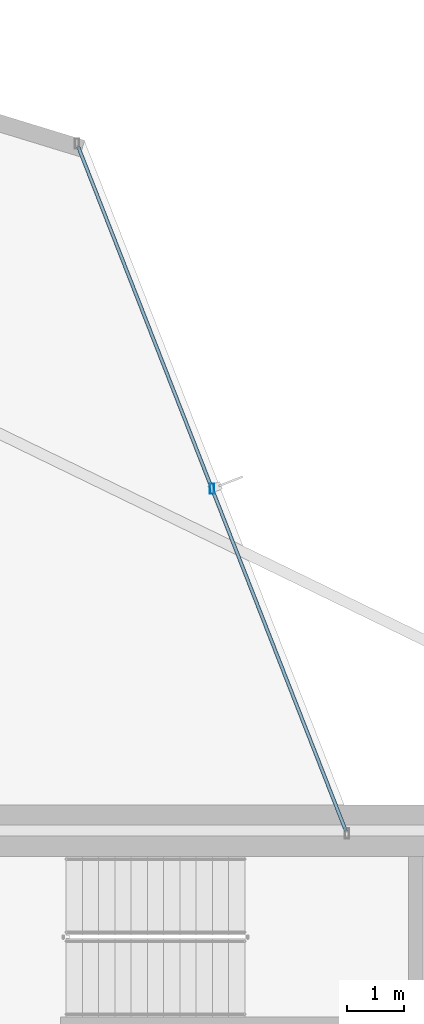
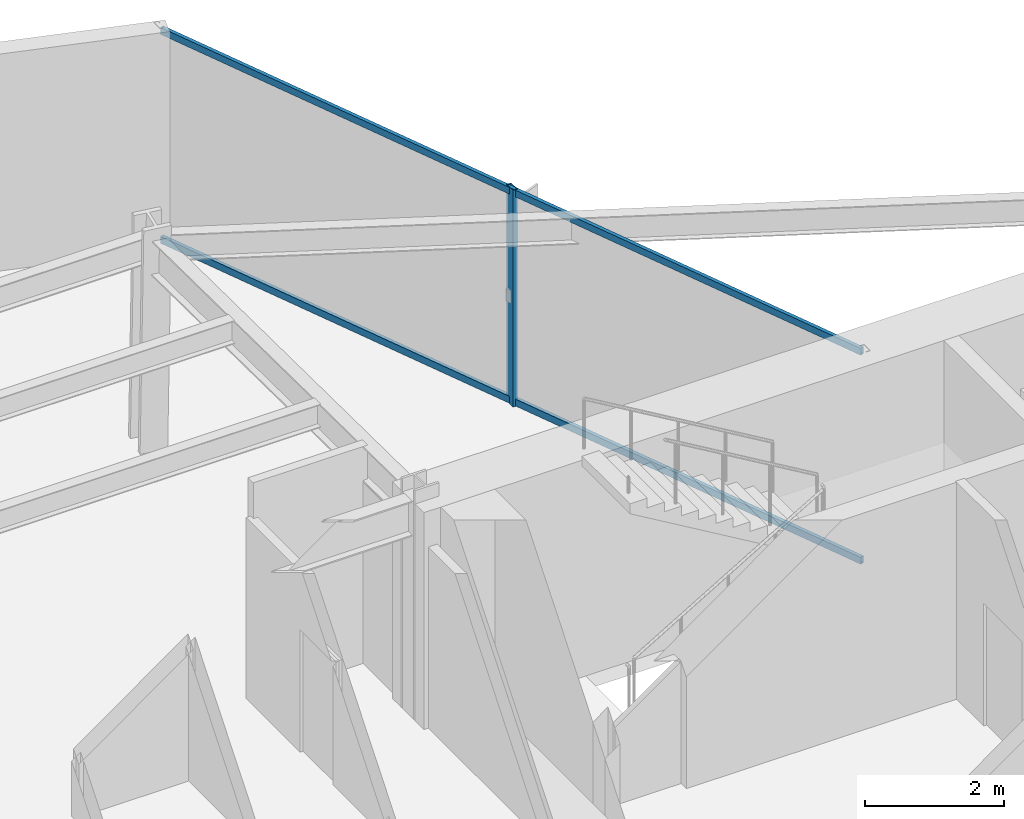
# One storey, part 20 of 29: 3 members, 1 element without a shape of its own.
"""IFC4 building model written with IfcOpenShell, lengths in metres."""

import ifcopenshell
import ifcopenshell.guid

model = None  # the IFC model being written
_history = None  # IfcOwnerHistory: only IFC2X3 demands one
_inside = {}  # id of a spatial element -> (the spatial element, [elements in it])
_under = {}  # id of a project, library or spatial element -> (it, [spatial elements below it])
_declared = {}  # id of a project -> (the project, [libraries it declares])
_typed = {}  # id of a type object -> (the type object, [elements of that type])
_made_of = {}  # id of a material, layer set ... -> (it, [elements and type objects made of it])


def new_model(schema):
    """Start an empty IFC model of exactly this schema.

    Asked for "IFC4X3", IfcOpenShell would pick the latest addendum, in which some entities
    have other attributes; the version numbers below select the first issue.
    IFC2X3 requires an IfcOwnerHistory on every rooted entity: one is made here for all.
    """
    global model, _history
    if schema == "IFC4X3":
        model = ifcopenshell.file(schema_version=(4, 3, 0, 0))
    else:
        model = ifcopenshell.file(schema=schema)
    _inside.clear()
    _under.clear()
    _declared.clear()
    _typed.clear()
    _made_of.clear()
    _history = None
    if model.schema == "IFC2X3":
        org = make("IfcOrganization", Name="unknown")
        user = make(
            "IfcPersonAndOrganization",
            ThePerson=make("IfcPerson", FamilyName="unknown"),
            TheOrganization=org,
        )
        app = make(
            "IfcApplication",
            ApplicationDeveloper=org,
            Version="unknown",
            ApplicationFullName="unknown",
            ApplicationIdentifier="unknown",
        )
        _history = make(
            "IfcOwnerHistory",
            OwningUser=user,
            OwningApplication=app,
            ChangeAction="ADDED",
            CreationDate=0,
        )
    return model


def make(cls, **values):
    """One entity of the class cls with the attributes given. An attribute that is None is left unset."""
    return model.create_entity(
        cls, **{name: value for name, value in values.items() if value is not None}
    )


def rooted(cls, **values):
    """An entity with a GlobalId (a new one), such as an element, a storey or a relation."""
    return make(cls, GlobalId=ifcopenshell.guid.new(), OwnerHistory=_history, **values)


def si_unit(unit_type, name, prefix=None):
    """IfcSIUnit, for example si_unit("LENGTHUNIT", "METRE", prefix="MILLI")."""
    return make("IfcSIUnit", UnitType=unit_type, Prefix=prefix, Name=name)


def assignment(units):
    """IfcUnitAssignment: the units of a project."""
    return None if units is None else make("IfcUnitAssignment", Units=units)


def point(xyz):
    """IfcCartesianPoint."""
    return None if xyz is None else make("IfcCartesianPoint", Coordinates=xyz)


def direction(xyz):
    """IfcDirection."""
    return None if xyz is None else make("IfcDirection", DirectionRatios=xyz)


def frame(location, z_axis=None, x_axis=None):
    """IfcAxis2Placement3D, a coordinate frame: its origin and axes. An axis left out is left unset."""
    return make(
        "IfcAxis2Placement3D",
        Location=point(location),
        Axis=direction(z_axis),
        RefDirection=direction(x_axis),
    )


def frame_2d(location, x_axis=None):
    """IfcAxis2Placement2D, a coordinate frame in the plane: its origin and x axis."""
    return make(
        "IfcAxis2Placement2D", Location=point(location), RefDirection=direction(x_axis)
    )


def origin():
    """The frame at (0, 0, 0) with its axes left unset."""
    return frame((0.0, 0.0, 0.0))


def origin_2d():
    """The frame at (0, 0) in the plane with its x axis left unset."""
    return frame_2d((0.0, 0.0))


def place(relative_to, where):
    """IfcLocalPlacement: puts the frame where relative to a parent placement (None: the world)."""
    return make(
        "IfcLocalPlacement", PlacementRelTo=relative_to, RelativePlacement=where
    )


def context(
    kind, dimensions, precision=None, world=None, true_north=None, identifier=None
):
    """IfcGeometricRepresentationContext, for example the 3D "Model" context."""
    return make(
        "IfcGeometricRepresentationContext",
        ContextIdentifier=identifier,
        ContextType=kind,
        CoordinateSpaceDimension=dimensions,
        Precision=precision,
        WorldCoordinateSystem=world,
        TrueNorth=true_north,
    )


def subcontext(parent, identifier, kind, view, scale=None):
    """IfcGeometricRepresentationSubContext, for example "Body" below "Model"."""
    return make(
        "IfcGeometricRepresentationSubContext",
        ContextIdentifier=identifier,
        ContextType=kind,
        ParentContext=parent,
        TargetScale=scale,
        TargetView=view,
    )


def project(units=None, contexts=None):
    """IfcProject with its units and contexts."""
    return rooted(
        "IfcProject",
        Name="project",
        RepresentationContexts=contexts,
        UnitsInContext=assignment(units),
    )


def spatial(cls, under=None, at=None, **own):
    """A site, building, storey or space (cls), placed at a placement, below another one or the project."""
    s = rooted(cls, ObjectPlacement=at, **own)
    if under is not None:
        _under.setdefault(under.id(), (under, []))[1].append(s)
    return s


def profile(cls, at=None, kind="AREA", **sizes):
    """A parametric profile (cls). Its sizes go by their IFC names, for example OverallWidth=200.0."""
    return make(cls, ProfileType=kind, Position=at, **sizes)


def hollow_rectangle(**sizes):
    """IfcRectangleHollowProfileDef."""
    return profile("IfcRectangleHollowProfileDef", **sizes)


def extrude(swept, where, along, depth):
    """IfcExtrudedAreaSolid: the profile swept, set in the frame where, extruded along a direction by depth."""
    return make(
        "IfcExtrudedAreaSolid",
        SweptArea=swept,
        Position=where,
        ExtrudedDirection=direction(along),
        Depth=depth,
    )


def shape(context_of_items, identifier, shape_type, items):
    """IfcShapeRepresentation: the items that make up one representation, for example the "Body"."""
    return make(
        "IfcShapeRepresentation",
        ContextOfItems=context_of_items,
        RepresentationIdentifier=identifier,
        RepresentationType=shape_type,
        Items=items,
    )


def material(Name=None, Category=None):
    """IfcMaterial."""
    return make("IfcMaterial", Name=Name, Category=Category)


def layer(
    of_material, thickness, ventilated=None, Name=None, Category=None, Priority=None
):
    """IfcMaterialLayer: one layer of a wall or slab, of a material (None: an air gap)."""
    return make(
        "IfcMaterialLayer",
        Material=of_material,
        LayerThickness=thickness,
        IsVentilated=ventilated,
        Name=Name,
        Category=Category,
        Priority=Priority,
    )


def layer_set(layers, Name=None):
    """IfcMaterialLayerSet."""
    return make("IfcMaterialLayerSet", MaterialLayers=layers, LayerSetName=Name)


def material_profile(
    of_material, cross_section, Name=None, Category=None, Priority=None
):
    """IfcMaterialProfile: a cross section and its material."""
    return make(
        "IfcMaterialProfile",
        Name=Name,
        Material=of_material,
        Profile=cross_section,
        Priority=Priority,
        Category=Category,
    )


def profile_set(profiles, Name=None, composite=None):
    """IfcMaterialProfileSet."""
    return make(
        "IfcMaterialProfileSet",
        Name=Name,
        MaterialProfiles=profiles,
        CompositeProfile=composite,
    )


def made_of(thing, what):
    """Note that an element or type object is made of a material, layer set ...; save() writes the relation."""
    if what is not None:
        _made_of.setdefault(what.id(), (what, []))[1].append(thing)
    return thing


def type_object(cls, material=None, **own):
    """A type object (cls), such as IfcWallType, which elements share."""
    return made_of(rooted(cls, **own), material)


def element(
    cls,
    number,
    at=None,
    inside=None,
    cuts=None,
    type_object=None,
    material=None,
    context=None,
    identifier="Body",
    shape_type=None,
    held_by="IfcProductDefinitionShape",
    body=None,
    shapes=None,
    **own,
):
    """One element of the class cls, such as IfcWall. Its Tag is "e" and its number.

    at: its placement. inside: the storey or other place that contains it. cuts: it is an
    opening in that element (IfcRelVoidsElement). A single representation is given by context,
    identifier, shape_type and body (its items); several are given by shapes. held_by: the class
    of the entity that holds the representations. save() writes the other relations.
    """
    e = rooted(cls, Tag="e%d" % number, ObjectPlacement=at, **own)
    if body is not None:
        shapes = [shape(context, identifier, shape_type, body)]
    if shapes is not None:
        e.Representation = make(held_by, Representations=shapes)
    if inside is not None:
        _inside.setdefault(inside.id(), (inside, []))[1].append(e)
    if cuts is not None:
        rooted(
            "IfcRelVoidsElement", RelatingBuildingElement=cuts, RelatedOpeningElement=e
        )
    if type_object is not None:
        _typed.setdefault(type_object.id(), (type_object, []))[1].append(e)
    return made_of(e, material)


def aggregate(whole, parts):
    """IfcRelAggregates: a whole, such as a stair, and the parts it consists of."""
    return rooted("IfcRelAggregates", RelatingObject=whole, RelatedObjects=parts)


def save(model, path):
    """Write the relations noted so far, then the file.

    IfcRelAggregates (storeys below a building ...), IfcRelContainedInSpatialStructure (elements
    in a storey), IfcRelDefinesByType, IfcRelAssociatesMaterial and IfcRelDeclares: one each for
    every whole, place, type object, material and project.
    """
    for whole, parts in _under.values():
        aggregate(whole, parts)
    for where, things in _inside.values():
        rooted(
            "IfcRelContainedInSpatialStructure",
            RelatedElements=things,
            RelatingStructure=where,
        )
    for kind, things in _typed.values():
        rooted("IfcRelDefinesByType", RelatedObjects=things, RelatingType=kind)
    for what, things in _made_of.values():
        rooted("IfcRelAssociatesMaterial", RelatedObjects=things, RelatingMaterial=what)
    for by, libraries in _declared.values():
        rooted("IfcRelDeclares", RelatingContext=by, RelatedDefinitions=libraries)
    model.write(path)


model = new_model("IFC4")

# Units and contexts
model_context = context("Model", 3, precision=1e-05, world=origin(), true_north=direction((0.0, 1.0)))
body_context = subcontext(model_context, "Body", "Model", "MODEL_VIEW")
ifc_project = project(units=[si_unit("LENGTHUNIT", "METRE"), si_unit("AREAUNIT", "SQUARE_METRE"), si_unit("VOLUMEUNIT", "CUBIC_METRE"), si_unit("PLANEANGLEUNIT", "RADIAN"), si_unit("MASSUNIT", "GRAM", prefix="KILO")], contexts=[model_context])

# Site, building, storey
site_placement = place(None, origin())
site = spatial("IfcSite", under=ifc_project, at=site_placement, CompositionType="ELEMENT")
building_placement = place(site_placement, origin())
building = spatial("IfcBuilding", under=site, at=building_placement, Name="Veymaron Broadcast Tower", CompositionType="ELEMENT")
storey_placement = place(building_placement, frame((0.0, 0.0, 58.050048828125)))
storey = spatial("IfcBuildingStorey", under=building, at=storey_placement, Name="L12", CompositionType="ELEMENT", Elevation=58.050048828125)

# Curtain wall, members
ifc_material_1 = material(Name="Anodised aluminium AA 6063-T6 and laminated low-E dark glass", Category="aluminium")
ifc_layer = layer(ifc_material_1, 0.179931640625)
ifc_layer_set = layer_set([ifc_layer], Name="Anodised aluminium AA 6063-T6 and laminated low-E dark glass")
curtain_wall_type = type_object("IfcCurtainWallType", Name="CW-SYS-02", PredefinedType="NOTDEFINED", material=ifc_layer_set)
curtain_wall_placement = place(storey_placement, origin())
curtain_wall = element("IfcCurtainWall", 1, at=curtain_wall_placement, inside=storey, type_object=curtain_wall_type, Name="L12 dark-glass curtain wall CW-L12-E5-1", PredefinedType="NOTDEFINED")
ifc_material_2 = material(Name="Anodised aluminium AA 6063-T6", Category="aluminium")
ifc_material_profile_1 = material_profile(ifc_material_2, hollow_rectangle(XDim=0.074951171875, YDim=0.179931640625, WallThickness=0.0048828125, at=origin_2d()), Name="AL180X75X5")
ifc_profile_set_1 = profile_set([ifc_material_profile_1], Name="Anodised aluminium AA 6063-T6")
member_type_1 = type_object("IfcMemberType", Name="CW-MUL-02", PredefinedType="MULLION", material=ifc_profile_set_1)
member_1_placement = place(storey_placement, frame((43.989501953125, 38.0009765625, 0.0), z_axis=(0.0, 0.0, 1.0), x_axis=(1.0, 0.0, 0.0)))
member_1 = element("IfcMember", 2, at=member_1_placement, type_object=member_type_1, Name="CW-L12-E5-1 mullion 1", PredefinedType="MULLION", context=body_context, shape_type="SweptSolid", body=[
    extrude(hollow_rectangle(XDim=0.074951171875, YDim=0.179931640625, WallThickness=0.0048828125, at=origin_2d()), origin(), (0.0, 0.0, 1.0), 3.81005859375),
])
ifc_material_profile_2 = material_profile(ifc_material_2, hollow_rectangle(XDim=0.06005859375, YDim=0.1201171875, WallThickness=0.00390625, at=origin_2d()), Name="AL120X60X4")
ifc_profile_set_2 = profile_set([ifc_material_profile_2], Name="Anodised aluminium AA 6063-T6")
member_type_2 = type_object("IfcMemberType", Name="CW-TRN-02", PredefinedType="USERDEFINED", material=ifc_profile_set_2)
member_2_placement = place(storey_placement, frame((46.33837890625, 31.99560546875, 0.070068359375), z_axis=(-0.364290854908, 0.931285226464, 0.0), x_axis=(-0.931285226464, -0.364290854908, 0.0)))
member_2 = element("IfcMember", 3, at=member_2_placement, type_object=member_type_2, Name="CW-L12-E5-1 transom B", ObjectType="TRANSOM", PredefinedType="USERDEFINED", context=body_context, shape_type="SweptSolid", body=[
    extrude(hollow_rectangle(XDim=0.06005859375, YDim=0.1201171875, WallThickness=0.00390625, at=origin_2d()), origin(), (0.0, 0.0, 1.0), 12.89697265625),
])
member_3_placement = place(storey_placement, frame((46.33837890625, 31.99560546875, 3.739990234375), z_axis=(-0.364290854908, 0.931285226464, 0.0), x_axis=(-0.931285226464, -0.364290854908, 0.0)))
member_3 = element("IfcMember", 4, at=member_3_placement, type_object=member_type_2, Name="CW-L12-E5-1 transom T", ObjectType="TRANSOM", PredefinedType="USERDEFINED", context=body_context, shape_type="SweptSolid", body=[
    extrude(hollow_rectangle(XDim=0.06005859375, YDim=0.1201171875, WallThickness=0.00390625, at=origin_2d()), origin(), (0.0, 0.0, 1.0), 12.89697265625),
])
aggregate(curtain_wall, [member_1, member_2, member_3])

save(model, "model.ifc")
